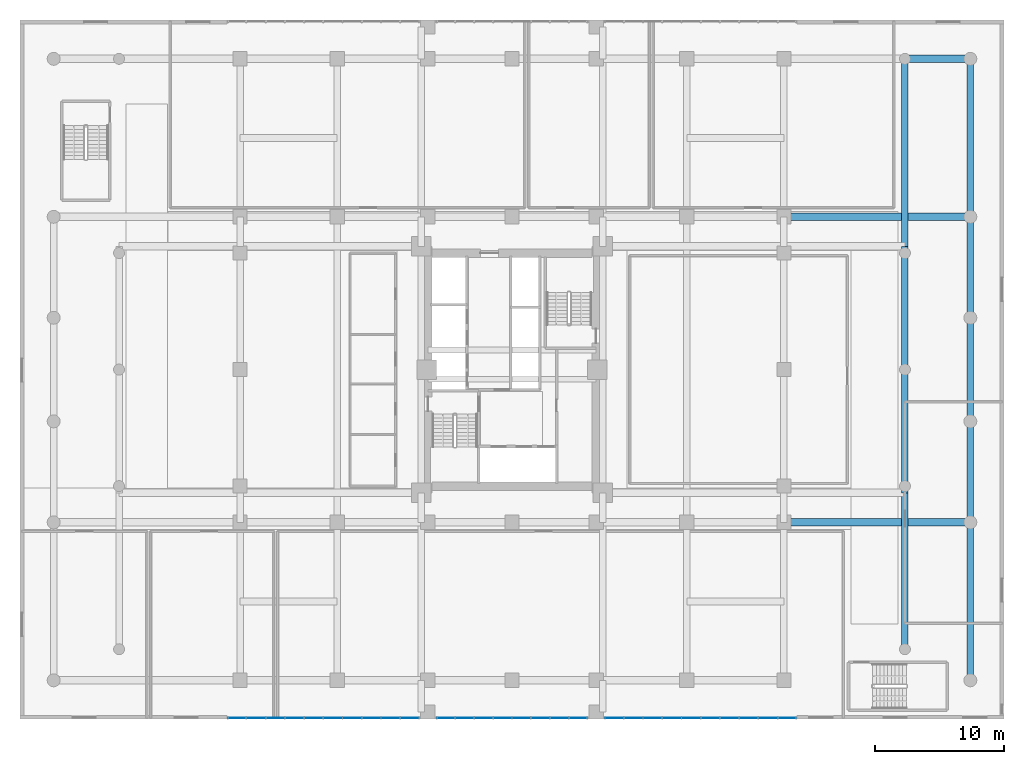
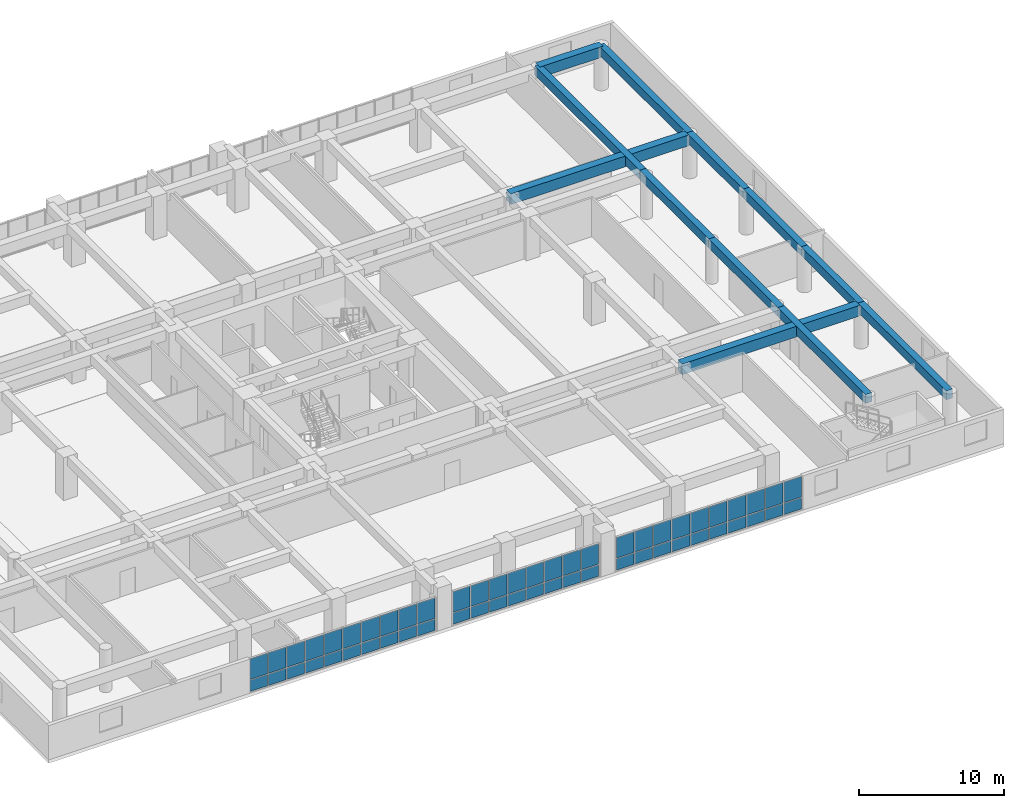
# One storey, part 16 of 30: 56 plates, 12 beams, 3 elements without a shape of their own.
"""IFC4 building model written with IfcOpenShell, lengths in metres."""

from ifc_helpers import new_model, si_unit, direction, frame, origin, origin_2d, place, context, subcontext, project, spatial, rectangle, extrude, source, transform, mapped, material, layer, layer_set, material_profile, profile_set, type_object, element, aggregate, save


model = new_model("IFC4")

# Units and contexts
model_context = context("Model", 3, precision=1e-05, world=origin(), true_north=direction((0.0, 1.0)))
body_context = subcontext(model_context, "Body", "Model", "MODEL_VIEW")
ifc_project = project(units=[si_unit("LENGTHUNIT", "METRE"), si_unit("AREAUNIT", "SQUARE_METRE"), si_unit("VOLUMEUNIT", "CUBIC_METRE"), si_unit("PLANEANGLEUNIT", "RADIAN"), si_unit("MASSUNIT", "GRAM", prefix="KILO")], contexts=[model_context])

# Site, building, storey
site_placement = place(None, origin())
site = spatial("IfcSite", under=ifc_project, at=site_placement, CompositionType="ELEMENT")
building_placement = place(site_placement, origin())
building = spatial("IfcBuilding", under=site, at=building_placement, Name="Saelheon Loggia Tower", CompositionType="ELEMENT")
storey_placement = place(building_placement, frame((0.0, 0.0, 11.39990234375)))
storey = spatial("IfcBuildingStorey", under=building, at=storey_placement, Name="L03", CompositionType="ELEMENT", Elevation=11.39990234375)

# Beams
ifc_material_1 = material(Name="Concrete C50/60", Category="concrete")
ifc_material_profile_1 = material_profile(ifc_material_1, rectangle(XDim=0.60009765625, YDim=0.89990234375, at=origin_2d()), Name="RC-600x900")
ifc_profile_set_1 = profile_set([ifc_material_profile_1], Name="Concrete C50/60")
beam_type_1 = type_object("IfcBeamType", Name="Beam_MainGirder_RC600x900", PredefinedType="BEAM", material=ifc_profile_set_1)
shared_shape_1 = source(origin(), body_context, "Body", "SweptSolid", [
    extrude(rectangle(XDim=0.60009765625, YDim=0.89990234375, at=origin_2d()), origin(), (0.0, 0.0, 1.0), 14.39990234375),
])
for number, where, z_axis, x_axis, name in (
    (1, (59.0, 15.199951171875, 3.150146484375), (1.0, 0.0, 0.0), (0.0, 1.0, 0.0), "BM-L03-EW-15-8"),
    (2, (59.0, 38.800048828125, 3.150146484375), (1.0, 0.0, 0.0), (0.0, 1.0, 0.0), "BM-L03-EW-38-8"),
):
    element("IfcBeam", number, at=place(storey_placement, frame(where, z_axis=z_axis, x_axis=x_axis)), inside=storey, type_object=beam_type_1, Name=name, PredefinedType="BEAM", context=body_context, shape_type="MappedRepresentation", body=[
        mapped(shared_shape_1, transform((0.0, 0.0, 0.0), scale=1.0)),
    ])
shared_shape_2 = source(origin(), body_context, "Body", "SweptSolid", [
    extrude(rectangle(XDim=0.60009765625, YDim=0.89990234375, at=origin_2d()), origin(), (0.0, 0.0, 1.0), 5.0498046875),
])
beam_1_placement = place(storey_placement, frame((68.35009765625, 51.0, 3.150146484375), z_axis=(1.0, 0.0, 0.0), x_axis=(0.0, 1.0, 0.0)))
element("IfcBeam", 3, at=beam_1_placement, inside=storey, type_object=beam_type_1, Name="BM-L03-EW-51-10", PredefinedType="BEAM", context=body_context, shape_type="MappedRepresentation", body=[
    mapped(shared_shape_2, transform((0.0, 0.0, 0.0), scale=1.0)),
])
ifc_material_2 = material(Name="Concrete C45/55", Category="concrete")
ifc_material_profile_2 = material_profile(ifc_material_2, rectangle(XDim=0.5, YDim=0.75, at=origin_2d()), Name="RC-500x750")
ifc_profile_set_2 = profile_set([ifc_material_profile_2], Name="Concrete C45/55")
beam_type_2 = type_object("IfcBeamType", Name="Beam_PerimGirder_RC500x750", PredefinedType="BEAM", material=ifc_profile_set_2)
shared_shape_3 = source(origin(), body_context, "Body", "SweptSolid", [
    extrude(rectangle(XDim=0.5, YDim=0.75, at=origin_2d()), origin(), (0.0, 0.0, 1.0), 12.199951171875),
])
for number, where, z_axis, x_axis, name in (
    (4, (73.39990234375, 3.0, 3.22509765625), (0.0, 1.0, 0.0), (-1.0, 0.0, 0.0), "BM-L03-NS-73-1"),
    (5, (73.39990234375, 38.800048828125, 3.22509765625), (0.0, 1.0, 0.0), (-1.0, 0.0, 0.0), "BM-L03-NS-73-5"),
):
    element("IfcBeam", number, at=place(storey_placement, frame(where, z_axis=z_axis, x_axis=x_axis)), inside=storey, type_object=beam_type_2, Name=name, PredefinedType="BEAM", context=body_context, shape_type="MappedRepresentation", body=[
        mapped(shared_shape_3, transform((0.0, 0.0, 0.0), scale=1.0)),
    ])
shared_shape_4 = source(origin(), body_context, "Body", "SweptSolid", [
    extrude(rectangle(XDim=0.5, YDim=0.75, at=origin_2d()), origin(), (0.0, 0.0, 1.0), 7.800048828125),
])
for number, where, z_axis, x_axis, name in (
    (6, (73.39990234375, 15.199951171875, 3.22509765625), (0.0, 1.0, 0.0), (-1.0, 0.0, 0.0), "BM-L03-NS-73-2"),
    (7, (73.39990234375, 31.0, 3.22509765625), (0.0, 1.0, 0.0), (-1.0, 0.0, 0.0), "BM-L03-NS-73-4"),
):
    element("IfcBeam", number, at=place(storey_placement, frame(where, z_axis=z_axis, x_axis=x_axis)), inside=storey, type_object=beam_type_2, Name=name, PredefinedType="BEAM", context=body_context, shape_type="MappedRepresentation", body=[
        mapped(shared_shape_4, transform((0.0, 0.0, 0.0), scale=1.0)),
    ])
shared_shape_5 = source(origin(), body_context, "Body", "SweptSolid", [
    extrude(rectangle(XDim=0.5, YDim=0.75, at=origin_2d()), origin(), (0.0, 0.0, 1.0), 8.0),
])
beam_2_placement = place(storey_placement, frame((73.39990234375, 23.0, 3.22509765625), z_axis=(0.0, 1.0, 0.0), x_axis=(-1.0, 0.0, 0.0)))
element("IfcBeam", 8, at=beam_2_placement, inside=storey, type_object=beam_type_2, Name="BM-L03-NS-73-3", PredefinedType="BEAM", context=body_context, shape_type="MappedRepresentation", body=[
    mapped(shared_shape_5, transform((0.0, 0.0, 0.0), scale=1.0)),
])
ifc_material_profile_3 = material_profile(ifc_material_2, rectangle(XDim=0.5, YDim=0.75, at=origin_2d()), Name="RC-500x750")
ifc_profile_set_3 = profile_set([ifc_material_profile_3], Name="Concrete C45/55")
beam_type_3 = type_object("IfcBeamType", Name="Beam_FloorGirder_RC500x750", PredefinedType="BEAM", material=ifc_profile_set_3)
shared_shape_6 = source(origin(), body_context, "Body", "SweptSolid", [
    extrude(rectangle(XDim=0.5, YDim=0.75, at=origin_2d()), origin(), (0.0, 0.0, 1.0), 12.080078125),
])
beam_3_placement = place(storey_placement, frame((68.35009765625, 5.39990234375, 3.22509765625), z_axis=(0.0, 1.0, 0.0), x_axis=(-1.0, 0.0, 0.0)))
element("IfcBeam", 9, at=beam_3_placement, inside=storey, type_object=beam_type_3, Name="BM-L03-NS-68-1", PredefinedType="BEAM", context=body_context, shape_type="MappedRepresentation", body=[
    mapped(shared_shape_6, transform((0.0, 0.0, 0.0), scale=1.0)),
])
shared_shape_7 = source(origin(), body_context, "Body", "SweptSolid", [
    extrude(rectangle(XDim=0.5, YDim=0.75, at=origin_2d()), origin(), (0.0, 0.0, 1.0), 9.52001953125),
])
for number, where, z_axis, x_axis, name in (
    (10, (68.35009765625, 17.47998046875, 3.22509765625), (0.0, 1.0, 0.0), (-1.0, 0.0, 0.0), "BM-L03-NS-68-2"),
    (11, (68.35009765625, 27.0, 3.22509765625), (0.0, 1.0, 0.0), (-1.0, 0.0, 0.0), "BM-L03-NS-68-3"),
):
    element("IfcBeam", number, at=place(storey_placement, frame(where, z_axis=z_axis, x_axis=x_axis)), inside=storey, type_object=beam_type_3, Name=name, PredefinedType="BEAM", context=body_context, shape_type="MappedRepresentation", body=[
        mapped(shared_shape_7, transform((0.0, 0.0, 0.0), scale=1.0)),
    ])
shared_shape_8 = source(origin(), body_context, "Body", "SweptSolid", [
    extrude(rectangle(XDim=0.5, YDim=0.75, at=origin_2d()), origin(), (0.0, 0.0, 1.0), 14.47998046875),
])
beam_4_placement = place(storey_placement, frame((68.35009765625, 36.52001953125, 3.22509765625), z_axis=(0.0, 1.0, 0.0), x_axis=(-1.0, 0.0, 0.0)))
element("IfcBeam", 12, at=beam_4_placement, inside=storey, type_object=beam_type_3, Name="BM-L03-NS-68-4", PredefinedType="BEAM", context=body_context, shape_type="MappedRepresentation", body=[
    mapped(shared_shape_8, transform((0.0, 0.0, 0.0), scale=1.0)),
])

# Curtain wall, plates
ifc_material_3 = material(Name="Aluminium 6063-T6 and Low-E IGU", Category="aluminium")
ifc_layer_1 = layer(ifc_material_3, 0.179931640625)
ifc_layer_set_1 = layer_set([ifc_layer_1], Name="Aluminium 6063-T6 and Low-E IGU")
curtain_wall_type = type_object("IfcCurtainWallType", Name="CW_PodiumClinic", PredefinedType="NOTDEFINED", material=ifc_layer_set_1)
curtain_wall_1_placement = place(storey_placement, origin())
curtain_wall_1 = element("IfcCurtainWall", 13, at=curtain_wall_1_placement, inside=storey, type_object=curtain_wall_type, Name="L03 South Clinic Curtain Wall 1", PredefinedType="NOTDEFINED")
ifc_material_4 = material(Name="Triple Low-E Laminated Glazing", Category="glass")
ifc_layer_2 = layer(ifc_material_4, 0.031982421875)
ifc_layer_set_2 = layer_set([ifc_layer_2], Name="Triple Low-E Laminated Glazing")
plate_type = type_object("IfcPlateType", Name="CW_PodiumClinic_Panel", PredefinedType="CURTAIN_PANEL", material=ifc_layer_set_2)
shared_shape_9 = source(origin(), body_context, "Body", "SweptSolid", [
    extrude(rectangle(XDim=1.3798828125, YDim=0.031982421875, at=origin_2d()), origin(), (0.0, 0.0, 1.0), 0.945068359375),
])
plate_1_placement = place(storey_placement, frame((16.760009765625, 0.10009765625, 0.06982421875), z_axis=(0.0, 0.0, 1.0), x_axis=(1.0, 0.0, 0.0)))
plate_1 = element("IfcPlate", 14, at=plate_1_placement, type_object=plate_type, Name="CW1 panel 1.1", PredefinedType="CURTAIN_PANEL", context=body_context, shape_type="MappedRepresentation", body=[
    mapped(shared_shape_9, transform((0.0, 0.0, 0.0), scale=1.0)),
])
plate_2_placement = place(storey_placement, frame((30.090087890625, 0.10009765625, 0.06982421875), z_axis=(0.0, 0.0, 1.0), x_axis=(1.0, 0.0, 0.0)))
plate_2 = element("IfcPlate", 15, at=plate_2_placement, type_object=plate_type, Name="CW1 panel 10.1", PredefinedType="CURTAIN_PANEL", context=body_context, shape_type="MappedRepresentation", body=[
    mapped(shared_shape_9, transform((0.0, 0.0, 0.0), scale=1.0)),
])

curtain_wall_2_placement = place(storey_placement, origin())
curtain_wall_2 = element("IfcCurtainWall", 16, at=curtain_wall_2_placement, inside=storey, type_object=curtain_wall_type, Name="L03 South Clinic Curtain Wall 3", PredefinedType="NOTDEFINED")
plate_3_placement = place(storey_placement, frame((45.909912109375, 0.10009765625, 0.06982421875), z_axis=(0.0, 0.0, 1.0), x_axis=(1.0, 0.0, 0.0)))
plate_3 = element("IfcPlate", 17, at=plate_3_placement, type_object=plate_type, Name="CW1 panel 1.1", PredefinedType="CURTAIN_PANEL", context=body_context, shape_type="MappedRepresentation", body=[
    mapped(shared_shape_9, transform((0.0, 0.0, 0.0), scale=1.0)),
])
plate_4_placement = place(storey_placement, frame((59.239990234375, 0.10009765625, 0.06982421875), z_axis=(0.0, 0.0, 1.0), x_axis=(1.0, 0.0, 0.0)))
plate_4 = element("IfcPlate", 18, at=plate_4_placement, type_object=plate_type, Name="CW1 panel 10.1", PredefinedType="CURTAIN_PANEL", context=body_context, shape_type="MappedRepresentation", body=[
    mapped(shared_shape_9, transform((0.0, 0.0, 0.0), scale=1.0)),
])

# Plate
shared_shape_10 = source(origin(), body_context, "Body", "SweptSolid", [
    extrude(rectangle(XDim=1.3798828125, YDim=0.031982421875, at=origin_2d()), origin(), (0.0, 0.0, 1.0), 1.72509765625),
])
plate_5_placement = place(storey_placement, frame((16.760009765625, 0.10009765625, 1.0849609375), z_axis=(0.0, 0.0, 1.0), x_axis=(1.0, 0.0, 0.0)))
plate_5 = element("IfcPlate", 19, at=plate_5_placement, type_object=plate_type, Name="CW1 panel 1.2", PredefinedType="CURTAIN_PANEL", context=body_context, shape_type="MappedRepresentation", body=[
    mapped(shared_shape_10, transform((0.0, 0.0, 0.0), scale=1.0)),
])

plate_6_placement = place(storey_placement, frame((30.090087890625, 0.10009765625, 1.0849609375), z_axis=(0.0, 0.0, 1.0), x_axis=(1.0, 0.0, 0.0)))
plate_6 = element("IfcPlate", 20, at=plate_6_placement, type_object=plate_type, Name="CW1 panel 10.2", PredefinedType="CURTAIN_PANEL", context=body_context, shape_type="MappedRepresentation", body=[
    mapped(shared_shape_10, transform((0.0, 0.0, 0.0), scale=1.0)),
])

plate_7_placement = place(storey_placement, frame((45.909912109375, 0.10009765625, 1.0849609375), z_axis=(0.0, 0.0, 1.0), x_axis=(1.0, 0.0, 0.0)))
plate_7 = element("IfcPlate", 21, at=plate_7_placement, type_object=plate_type, Name="CW1 panel 1.2", PredefinedType="CURTAIN_PANEL", context=body_context, shape_type="MappedRepresentation", body=[
    mapped(shared_shape_10, transform((0.0, 0.0, 0.0), scale=1.0)),
])

plate_8_placement = place(storey_placement, frame((59.239990234375, 0.10009765625, 1.0849609375), z_axis=(0.0, 0.0, 1.0), x_axis=(1.0, 0.0, 0.0)))
plate_8 = element("IfcPlate", 22, at=plate_8_placement, type_object=plate_type, Name="CW1 panel 10.2", PredefinedType="CURTAIN_PANEL", context=body_context, shape_type="MappedRepresentation", body=[
    mapped(shared_shape_10, transform((0.0, 0.0, 0.0), scale=1.0)),
])

shared_shape_11 = source(origin(), body_context, "Body", "SweptSolid", [
    extrude(rectangle(XDim=1.4150390625, YDim=0.031982421875, at=origin_2d()), origin(), (0.0, 0.0, 1.0), 0.945068359375),
])
plate_9_placement = place(storey_placement, frame((18.2275390625, 0.10009765625, 0.06982421875), z_axis=(0.0, 0.0, 1.0), x_axis=(1.0, 0.0, 0.0)))
plate_9 = element("IfcPlate", 23, at=plate_9_placement, type_object=plate_type, Name="CW1 panel 2.1", PredefinedType="CURTAIN_PANEL", context=body_context, shape_type="MappedRepresentation", body=[
    mapped(shared_shape_11, transform((0.0, 0.0, 0.0), scale=1.0)),
])

plate_10_placement = place(storey_placement, frame((19.71240234375, 0.10009765625, 0.06982421875), z_axis=(0.0, 0.0, 1.0), x_axis=(1.0, 0.0, 0.0)))
plate_10 = element("IfcPlate", 24, at=plate_10_placement, type_object=plate_type, Name="CW1 panel 3.1", PredefinedType="CURTAIN_PANEL", context=body_context, shape_type="MappedRepresentation", body=[
    mapped(shared_shape_11, transform((0.0, 0.0, 0.0), scale=1.0)),
])

plate_11_placement = place(storey_placement, frame((21.197509765625, 0.10009765625, 0.06982421875), z_axis=(0.0, 0.0, 1.0), x_axis=(1.0, 0.0, 0.0)))
plate_11 = element("IfcPlate", 25, at=plate_11_placement, type_object=plate_type, Name="CW1 panel 4.1", PredefinedType="CURTAIN_PANEL", context=body_context, shape_type="MappedRepresentation", body=[
    mapped(shared_shape_11, transform((0.0, 0.0, 0.0), scale=1.0)),
])

plate_12_placement = place(storey_placement, frame((22.6826171875, 0.10009765625, 0.06982421875), z_axis=(0.0, 0.0, 1.0), x_axis=(1.0, 0.0, 0.0)))
plate_12 = element("IfcPlate", 26, at=plate_12_placement, type_object=plate_type, Name="CW1 panel 5.1", PredefinedType="CURTAIN_PANEL", context=body_context, shape_type="MappedRepresentation", body=[
    mapped(shared_shape_11, transform((0.0, 0.0, 0.0), scale=1.0)),
])

plate_13_placement = place(storey_placement, frame((24.16748046875, 0.10009765625, 0.06982421875), z_axis=(0.0, 0.0, 1.0), x_axis=(1.0, 0.0, 0.0)))
plate_13 = element("IfcPlate", 27, at=plate_13_placement, type_object=plate_type, Name="CW1 panel 6.1", PredefinedType="CURTAIN_PANEL", context=body_context, shape_type="MappedRepresentation", body=[
    mapped(shared_shape_11, transform((0.0, 0.0, 0.0), scale=1.0)),
])

plate_14_placement = place(storey_placement, frame((25.652587890625, 0.10009765625, 0.06982421875), z_axis=(0.0, 0.0, 1.0), x_axis=(1.0, 0.0, 0.0)))
plate_14 = element("IfcPlate", 28, at=plate_14_placement, type_object=plate_type, Name="CW1 panel 7.1", PredefinedType="CURTAIN_PANEL", context=body_context, shape_type="MappedRepresentation", body=[
    mapped(shared_shape_11, transform((0.0, 0.0, 0.0), scale=1.0)),
])

plate_15_placement = place(storey_placement, frame((27.137451171875, 0.10009765625, 0.06982421875), z_axis=(0.0, 0.0, 1.0), x_axis=(1.0, 0.0, 0.0)))
plate_15 = element("IfcPlate", 29, at=plate_15_placement, type_object=plate_type, Name="CW1 panel 8.1", PredefinedType="CURTAIN_PANEL", context=body_context, shape_type="MappedRepresentation", body=[
    mapped(shared_shape_11, transform((0.0, 0.0, 0.0), scale=1.0)),
])

plate_16_placement = place(storey_placement, frame((28.62255859375, 0.10009765625, 0.06982421875), z_axis=(0.0, 0.0, 1.0), x_axis=(1.0, 0.0, 0.0)))
plate_16 = element("IfcPlate", 30, at=plate_16_placement, type_object=plate_type, Name="CW1 panel 9.1", PredefinedType="CURTAIN_PANEL", context=body_context, shape_type="MappedRepresentation", body=[
    mapped(shared_shape_11, transform((0.0, 0.0, 0.0), scale=1.0)),
])

plate_17_placement = place(storey_placement, frame((47.37744140625, 0.10009765625, 0.06982421875), z_axis=(0.0, 0.0, 1.0), x_axis=(1.0, 0.0, 0.0)))
plate_17 = element("IfcPlate", 31, at=plate_17_placement, type_object=plate_type, Name="CW1 panel 2.1", PredefinedType="CURTAIN_PANEL", context=body_context, shape_type="MappedRepresentation", body=[
    mapped(shared_shape_11, transform((0.0, 0.0, 0.0), scale=1.0)),
])

plate_18_placement = place(storey_placement, frame((48.862548828125, 0.10009765625, 0.06982421875), z_axis=(0.0, 0.0, 1.0), x_axis=(1.0, 0.0, 0.0)))
plate_18 = element("IfcPlate", 32, at=plate_18_placement, type_object=plate_type, Name="CW1 panel 3.1", PredefinedType="CURTAIN_PANEL", context=body_context, shape_type="MappedRepresentation", body=[
    mapped(shared_shape_11, transform((0.0, 0.0, 0.0), scale=1.0)),
])

plate_19_placement = place(storey_placement, frame((50.347412109375, 0.10009765625, 0.06982421875), z_axis=(0.0, 0.0, 1.0), x_axis=(1.0, 0.0, 0.0)))
plate_19 = element("IfcPlate", 33, at=plate_19_placement, type_object=plate_type, Name="CW1 panel 4.1", PredefinedType="CURTAIN_PANEL", context=body_context, shape_type="MappedRepresentation", body=[
    mapped(shared_shape_11, transform((0.0, 0.0, 0.0), scale=1.0)),
])

plate_20_placement = place(storey_placement, frame((51.83251953125, 0.10009765625, 0.06982421875), z_axis=(0.0, 0.0, 1.0), x_axis=(1.0, 0.0, 0.0)))
plate_20 = element("IfcPlate", 34, at=plate_20_placement, type_object=plate_type, Name="CW1 panel 5.1", PredefinedType="CURTAIN_PANEL", context=body_context, shape_type="MappedRepresentation", body=[
    mapped(shared_shape_11, transform((0.0, 0.0, 0.0), scale=1.0)),
])

plate_21_placement = place(storey_placement, frame((53.3173828125, 0.10009765625, 0.06982421875), z_axis=(0.0, 0.0, 1.0), x_axis=(1.0, 0.0, 0.0)))
plate_21 = element("IfcPlate", 35, at=plate_21_placement, type_object=plate_type, Name="CW1 panel 6.1", PredefinedType="CURTAIN_PANEL", context=body_context, shape_type="MappedRepresentation", body=[
    mapped(shared_shape_11, transform((0.0, 0.0, 0.0), scale=1.0)),
])

plate_22_placement = place(storey_placement, frame((54.802490234375, 0.10009765625, 0.06982421875), z_axis=(0.0, 0.0, 1.0), x_axis=(1.0, 0.0, 0.0)))
plate_22 = element("IfcPlate", 36, at=plate_22_placement, type_object=plate_type, Name="CW1 panel 7.1", PredefinedType="CURTAIN_PANEL", context=body_context, shape_type="MappedRepresentation", body=[
    mapped(shared_shape_11, transform((0.0, 0.0, 0.0), scale=1.0)),
])

plate_23_placement = place(storey_placement, frame((56.28759765625, 0.10009765625, 0.06982421875), z_axis=(0.0, 0.0, 1.0), x_axis=(1.0, 0.0, 0.0)))
plate_23 = element("IfcPlate", 37, at=plate_23_placement, type_object=plate_type, Name="CW1 panel 8.1", PredefinedType="CURTAIN_PANEL", context=body_context, shape_type="MappedRepresentation", body=[
    mapped(shared_shape_11, transform((0.0, 0.0, 0.0), scale=1.0)),
])

plate_24_placement = place(storey_placement, frame((57.7724609375, 0.10009765625, 0.06982421875), z_axis=(0.0, 0.0, 1.0), x_axis=(1.0, 0.0, 0.0)))
plate_24 = element("IfcPlate", 38, at=plate_24_placement, type_object=plate_type, Name="CW1 panel 9.1", PredefinedType="CURTAIN_PANEL", context=body_context, shape_type="MappedRepresentation", body=[
    mapped(shared_shape_11, transform((0.0, 0.0, 0.0), scale=1.0)),
])

shared_shape_12 = source(origin(), body_context, "Body", "SweptSolid", [
    extrude(rectangle(XDim=1.4150390625, YDim=0.031982421875, at=origin_2d()), origin(), (0.0, 0.0, 1.0), 1.72509765625),
])
plate_25_placement = place(storey_placement, frame((18.2275390625, 0.10009765625, 1.0849609375), z_axis=(0.0, 0.0, 1.0), x_axis=(1.0, 0.0, 0.0)))
plate_25 = element("IfcPlate", 39, at=plate_25_placement, type_object=plate_type, Name="CW1 panel 2.2", PredefinedType="CURTAIN_PANEL", context=body_context, shape_type="MappedRepresentation", body=[
    mapped(shared_shape_12, transform((0.0, 0.0, 0.0), scale=1.0)),
])

plate_26_placement = place(storey_placement, frame((19.71240234375, 0.10009765625, 1.0849609375), z_axis=(0.0, 0.0, 1.0), x_axis=(1.0, 0.0, 0.0)))
plate_26 = element("IfcPlate", 40, at=plate_26_placement, type_object=plate_type, Name="CW1 panel 3.2", PredefinedType="CURTAIN_PANEL", context=body_context, shape_type="MappedRepresentation", body=[
    mapped(shared_shape_12, transform((0.0, 0.0, 0.0), scale=1.0)),
])

plate_27_placement = place(storey_placement, frame((21.197509765625, 0.10009765625, 1.0849609375), z_axis=(0.0, 0.0, 1.0), x_axis=(1.0, 0.0, 0.0)))
plate_27 = element("IfcPlate", 41, at=plate_27_placement, type_object=plate_type, Name="CW1 panel 4.2", PredefinedType="CURTAIN_PANEL", context=body_context, shape_type="MappedRepresentation", body=[
    mapped(shared_shape_12, transform((0.0, 0.0, 0.0), scale=1.0)),
])

plate_28_placement = place(storey_placement, frame((22.6826171875, 0.10009765625, 1.0849609375), z_axis=(0.0, 0.0, 1.0), x_axis=(1.0, 0.0, 0.0)))
plate_28 = element("IfcPlate", 42, at=plate_28_placement, type_object=plate_type, Name="CW1 panel 5.2", PredefinedType="CURTAIN_PANEL", context=body_context, shape_type="MappedRepresentation", body=[
    mapped(shared_shape_12, transform((0.0, 0.0, 0.0), scale=1.0)),
])

plate_29_placement = place(storey_placement, frame((24.16748046875, 0.10009765625, 1.0849609375), z_axis=(0.0, 0.0, 1.0), x_axis=(1.0, 0.0, 0.0)))
plate_29 = element("IfcPlate", 43, at=plate_29_placement, type_object=plate_type, Name="CW1 panel 6.2", PredefinedType="CURTAIN_PANEL", context=body_context, shape_type="MappedRepresentation", body=[
    mapped(shared_shape_12, transform((0.0, 0.0, 0.0), scale=1.0)),
])

plate_30_placement = place(storey_placement, frame((25.652587890625, 0.10009765625, 1.0849609375), z_axis=(0.0, 0.0, 1.0), x_axis=(1.0, 0.0, 0.0)))
plate_30 = element("IfcPlate", 44, at=plate_30_placement, type_object=plate_type, Name="CW1 panel 7.2", PredefinedType="CURTAIN_PANEL", context=body_context, shape_type="MappedRepresentation", body=[
    mapped(shared_shape_12, transform((0.0, 0.0, 0.0), scale=1.0)),
])

plate_31_placement = place(storey_placement, frame((27.137451171875, 0.10009765625, 1.0849609375), z_axis=(0.0, 0.0, 1.0), x_axis=(1.0, 0.0, 0.0)))
plate_31 = element("IfcPlate", 45, at=plate_31_placement, type_object=plate_type, Name="CW1 panel 8.2", PredefinedType="CURTAIN_PANEL", context=body_context, shape_type="MappedRepresentation", body=[
    mapped(shared_shape_12, transform((0.0, 0.0, 0.0), scale=1.0)),
])

plate_32_placement = place(storey_placement, frame((28.62255859375, 0.10009765625, 1.0849609375), z_axis=(0.0, 0.0, 1.0), x_axis=(1.0, 0.0, 0.0)))
plate_32 = element("IfcPlate", 46, at=plate_32_placement, type_object=plate_type, Name="CW1 panel 9.2", PredefinedType="CURTAIN_PANEL", context=body_context, shape_type="MappedRepresentation", body=[
    mapped(shared_shape_12, transform((0.0, 0.0, 0.0), scale=1.0)),
])

aggregate(curtain_wall_1, [plate_1, plate_5, plate_9, plate_25, plate_10, plate_26, plate_11, plate_27, plate_12, plate_28, plate_13, plate_29, plate_14, plate_30, plate_15, plate_31, plate_16, plate_32, plate_2, plate_6])

plate_33_placement = place(storey_placement, frame((47.37744140625, 0.10009765625, 1.0849609375), z_axis=(0.0, 0.0, 1.0), x_axis=(1.0, 0.0, 0.0)))
plate_33 = element("IfcPlate", 47, at=plate_33_placement, type_object=plate_type, Name="CW1 panel 2.2", PredefinedType="CURTAIN_PANEL", context=body_context, shape_type="MappedRepresentation", body=[
    mapped(shared_shape_12, transform((0.0, 0.0, 0.0), scale=1.0)),
])

plate_34_placement = place(storey_placement, frame((48.862548828125, 0.10009765625, 1.0849609375), z_axis=(0.0, 0.0, 1.0), x_axis=(1.0, 0.0, 0.0)))
plate_34 = element("IfcPlate", 48, at=plate_34_placement, type_object=plate_type, Name="CW1 panel 3.2", PredefinedType="CURTAIN_PANEL", context=body_context, shape_type="MappedRepresentation", body=[
    mapped(shared_shape_12, transform((0.0, 0.0, 0.0), scale=1.0)),
])

plate_35_placement = place(storey_placement, frame((50.347412109375, 0.10009765625, 1.0849609375), z_axis=(0.0, 0.0, 1.0), x_axis=(1.0, 0.0, 0.0)))
plate_35 = element("IfcPlate", 49, at=plate_35_placement, type_object=plate_type, Name="CW1 panel 4.2", PredefinedType="CURTAIN_PANEL", context=body_context, shape_type="MappedRepresentation", body=[
    mapped(shared_shape_12, transform((0.0, 0.0, 0.0), scale=1.0)),
])

plate_36_placement = place(storey_placement, frame((51.83251953125, 0.10009765625, 1.0849609375), z_axis=(0.0, 0.0, 1.0), x_axis=(1.0, 0.0, 0.0)))
plate_36 = element("IfcPlate", 50, at=plate_36_placement, type_object=plate_type, Name="CW1 panel 5.2", PredefinedType="CURTAIN_PANEL", context=body_context, shape_type="MappedRepresentation", body=[
    mapped(shared_shape_12, transform((0.0, 0.0, 0.0), scale=1.0)),
])

plate_37_placement = place(storey_placement, frame((53.3173828125, 0.10009765625, 1.0849609375), z_axis=(0.0, 0.0, 1.0), x_axis=(1.0, 0.0, 0.0)))
plate_37 = element("IfcPlate", 51, at=plate_37_placement, type_object=plate_type, Name="CW1 panel 6.2", PredefinedType="CURTAIN_PANEL", context=body_context, shape_type="MappedRepresentation", body=[
    mapped(shared_shape_12, transform((0.0, 0.0, 0.0), scale=1.0)),
])

plate_38_placement = place(storey_placement, frame((54.802490234375, 0.10009765625, 1.0849609375), z_axis=(0.0, 0.0, 1.0), x_axis=(1.0, 0.0, 0.0)))
plate_38 = element("IfcPlate", 52, at=plate_38_placement, type_object=plate_type, Name="CW1 panel 7.2", PredefinedType="CURTAIN_PANEL", context=body_context, shape_type="MappedRepresentation", body=[
    mapped(shared_shape_12, transform((0.0, 0.0, 0.0), scale=1.0)),
])

plate_39_placement = place(storey_placement, frame((56.28759765625, 0.10009765625, 1.0849609375), z_axis=(0.0, 0.0, 1.0), x_axis=(1.0, 0.0, 0.0)))
plate_39 = element("IfcPlate", 53, at=plate_39_placement, type_object=plate_type, Name="CW1 panel 8.2", PredefinedType="CURTAIN_PANEL", context=body_context, shape_type="MappedRepresentation", body=[
    mapped(shared_shape_12, transform((0.0, 0.0, 0.0), scale=1.0)),
])

plate_40_placement = place(storey_placement, frame((57.7724609375, 0.10009765625, 1.0849609375), z_axis=(0.0, 0.0, 1.0), x_axis=(1.0, 0.0, 0.0)))
plate_40 = element("IfcPlate", 54, at=plate_40_placement, type_object=plate_type, Name="CW1 panel 9.2", PredefinedType="CURTAIN_PANEL", context=body_context, shape_type="MappedRepresentation", body=[
    mapped(shared_shape_12, transform((0.0, 0.0, 0.0), scale=1.0)),
])

aggregate(curtain_wall_2, [plate_3, plate_7, plate_17, plate_33, plate_18, plate_34, plate_19, plate_35, plate_20, plate_36, plate_21, plate_37, plate_22, plate_38, plate_23, plate_39, plate_24, plate_40, plate_4, plate_8])

# Curtain wall, plates
curtain_wall_3_placement = place(storey_placement, origin())
curtain_wall_3 = element("IfcCurtainWall", 55, at=curtain_wall_3_placement, inside=storey, type_object=curtain_wall_type, Name="L03 South Clinic Curtain Wall 2", PredefinedType="NOTDEFINED")
shared_shape_13 = source(origin(), body_context, "Body", "SweptSolid", [
    extrude(rectangle(XDim=1.357421875, YDim=0.031982421875, at=origin_2d()), origin(), (0.0, 0.0, 1.0), 0.945068359375),
])
plate_41_placement = place(storey_placement, frame((32.898681640625, 0.10009765625, 0.06982421875), z_axis=(0.0, 0.0, 1.0), x_axis=(1.0, 0.0, 0.0)))
plate_41 = element("IfcPlate", 56, at=plate_41_placement, type_object=plate_type, Name="CW1 panel 1.1", PredefinedType="CURTAIN_PANEL", context=body_context, shape_type="MappedRepresentation", body=[
    mapped(shared_shape_13, transform((0.0, 0.0, 0.0), scale=1.0)),
])
plate_42_placement = place(storey_placement, frame((43.101318359375, 0.10009765625, 0.06982421875), z_axis=(0.0, 0.0, 1.0), x_axis=(1.0, 0.0, 0.0)))
plate_42 = element("IfcPlate", 57, at=plate_42_placement, type_object=plate_type, Name="CW1 panel 8.1", PredefinedType="CURTAIN_PANEL", context=body_context, shape_type="MappedRepresentation", body=[
    mapped(shared_shape_13, transform((0.0, 0.0, 0.0), scale=1.0)),
])
shared_shape_14 = source(origin(), body_context, "Body", "SweptSolid", [
    extrude(rectangle(XDim=1.357421875, YDim=0.031982421875, at=origin_2d()), origin(), (0.0, 0.0, 1.0), 1.72509765625),
])
plate_43_placement = place(storey_placement, frame((32.898681640625, 0.10009765625, 1.0849609375), z_axis=(0.0, 0.0, 1.0), x_axis=(1.0, 0.0, 0.0)))
plate_43 = element("IfcPlate", 58, at=plate_43_placement, type_object=plate_type, Name="CW1 panel 1.2", PredefinedType="CURTAIN_PANEL", context=body_context, shape_type="MappedRepresentation", body=[
    mapped(shared_shape_14, transform((0.0, 0.0, 0.0), scale=1.0)),
])
plate_44_placement = place(storey_placement, frame((43.101318359375, 0.10009765625, 1.0849609375), z_axis=(0.0, 0.0, 1.0), x_axis=(1.0, 0.0, 0.0)))
plate_44 = element("IfcPlate", 59, at=plate_44_placement, type_object=plate_type, Name="CW1 panel 8.2", PredefinedType="CURTAIN_PANEL", context=body_context, shape_type="MappedRepresentation", body=[
    mapped(shared_shape_14, transform((0.0, 0.0, 0.0), scale=1.0)),
])
shared_shape_15 = source(origin(), body_context, "Body", "SweptSolid", [
    extrude(rectangle(XDim=1.392578125, YDim=0.031982421875, at=origin_2d()), origin(), (0.0, 0.0, 1.0), 0.945068359375),
])
plate_45_placement = place(storey_placement, frame((34.34375, 0.10009765625, 0.06982421875), z_axis=(0.0, 0.0, 1.0), x_axis=(1.0, 0.0, 0.0)))
plate_45 = element("IfcPlate", 60, at=plate_45_placement, type_object=plate_type, Name="CW1 panel 2.1", PredefinedType="CURTAIN_PANEL", context=body_context, shape_type="MappedRepresentation", body=[
    mapped(shared_shape_15, transform((0.0, 0.0, 0.0), scale=1.0)),
])
plate_46_placement = place(storey_placement, frame((35.80615234375, 0.10009765625, 0.06982421875), z_axis=(0.0, 0.0, 1.0), x_axis=(1.0, 0.0, 0.0)))
plate_46 = element("IfcPlate", 61, at=plate_46_placement, type_object=plate_type, Name="CW1 panel 3.1", PredefinedType="CURTAIN_PANEL", context=body_context, shape_type="MappedRepresentation", body=[
    mapped(shared_shape_15, transform((0.0, 0.0, 0.0), scale=1.0)),
])
plate_47_placement = place(storey_placement, frame((37.268798828125, 0.10009765625, 0.06982421875), z_axis=(0.0, 0.0, 1.0), x_axis=(1.0, 0.0, 0.0)))
plate_47 = element("IfcPlate", 62, at=plate_47_placement, type_object=plate_type, Name="CW1 panel 4.1", PredefinedType="CURTAIN_PANEL", context=body_context, shape_type="MappedRepresentation", body=[
    mapped(shared_shape_15, transform((0.0, 0.0, 0.0), scale=1.0)),
])
plate_48_placement = place(storey_placement, frame((38.731201171875, 0.10009765625, 0.06982421875), z_axis=(0.0, 0.0, 1.0), x_axis=(1.0, 0.0, 0.0)))
plate_48 = element("IfcPlate", 63, at=plate_48_placement, type_object=plate_type, Name="CW1 panel 5.1", PredefinedType="CURTAIN_PANEL", context=body_context, shape_type="MappedRepresentation", body=[
    mapped(shared_shape_15, transform((0.0, 0.0, 0.0), scale=1.0)),
])
plate_49_placement = place(storey_placement, frame((40.19384765625, 0.10009765625, 0.06982421875), z_axis=(0.0, 0.0, 1.0), x_axis=(1.0, 0.0, 0.0)))
plate_49 = element("IfcPlate", 64, at=plate_49_placement, type_object=plate_type, Name="CW1 panel 6.1", PredefinedType="CURTAIN_PANEL", context=body_context, shape_type="MappedRepresentation", body=[
    mapped(shared_shape_15, transform((0.0, 0.0, 0.0), scale=1.0)),
])
plate_50_placement = place(storey_placement, frame((41.65625, 0.10009765625, 0.06982421875), z_axis=(0.0, 0.0, 1.0), x_axis=(1.0, 0.0, 0.0)))
plate_50 = element("IfcPlate", 65, at=plate_50_placement, type_object=plate_type, Name="CW1 panel 7.1", PredefinedType="CURTAIN_PANEL", context=body_context, shape_type="MappedRepresentation", body=[
    mapped(shared_shape_15, transform((0.0, 0.0, 0.0), scale=1.0)),
])
shared_shape_16 = source(origin(), body_context, "Body", "SweptSolid", [
    extrude(rectangle(XDim=1.392578125, YDim=0.031982421875, at=origin_2d()), origin(), (0.0, 0.0, 1.0), 1.72509765625),
])
plate_51_placement = place(storey_placement, frame((34.34375, 0.10009765625, 1.0849609375), z_axis=(0.0, 0.0, 1.0), x_axis=(1.0, 0.0, 0.0)))
plate_51 = element("IfcPlate", 66, at=plate_51_placement, type_object=plate_type, Name="CW1 panel 2.2", PredefinedType="CURTAIN_PANEL", context=body_context, shape_type="MappedRepresentation", body=[
    mapped(shared_shape_16, transform((0.0, 0.0, 0.0), scale=1.0)),
])
plate_52_placement = place(storey_placement, frame((35.80615234375, 0.10009765625, 1.0849609375), z_axis=(0.0, 0.0, 1.0), x_axis=(1.0, 0.0, 0.0)))
plate_52 = element("IfcPlate", 67, at=plate_52_placement, type_object=plate_type, Name="CW1 panel 3.2", PredefinedType="CURTAIN_PANEL", context=body_context, shape_type="MappedRepresentation", body=[
    mapped(shared_shape_16, transform((0.0, 0.0, 0.0), scale=1.0)),
])
plate_53_placement = place(storey_placement, frame((37.268798828125, 0.10009765625, 1.0849609375), z_axis=(0.0, 0.0, 1.0), x_axis=(1.0, 0.0, 0.0)))
plate_53 = element("IfcPlate", 68, at=plate_53_placement, type_object=plate_type, Name="CW1 panel 4.2", PredefinedType="CURTAIN_PANEL", context=body_context, shape_type="MappedRepresentation", body=[
    mapped(shared_shape_16, transform((0.0, 0.0, 0.0), scale=1.0)),
])
plate_54_placement = place(storey_placement, frame((38.731201171875, 0.10009765625, 1.0849609375), z_axis=(0.0, 0.0, 1.0), x_axis=(1.0, 0.0, 0.0)))
plate_54 = element("IfcPlate", 69, at=plate_54_placement, type_object=plate_type, Name="CW1 panel 5.2", PredefinedType="CURTAIN_PANEL", context=body_context, shape_type="MappedRepresentation", body=[
    mapped(shared_shape_16, transform((0.0, 0.0, 0.0), scale=1.0)),
])
plate_55_placement = place(storey_placement, frame((40.19384765625, 0.10009765625, 1.0849609375), z_axis=(0.0, 0.0, 1.0), x_axis=(1.0, 0.0, 0.0)))
plate_55 = element("IfcPlate", 70, at=plate_55_placement, type_object=plate_type, Name="CW1 panel 6.2", PredefinedType="CURTAIN_PANEL", context=body_context, shape_type="MappedRepresentation", body=[
    mapped(shared_shape_16, transform((0.0, 0.0, 0.0), scale=1.0)),
])
plate_56_placement = place(storey_placement, frame((41.65625, 0.10009765625, 1.0849609375), z_axis=(0.0, 0.0, 1.0), x_axis=(1.0, 0.0, 0.0)))
plate_56 = element("IfcPlate", 71, at=plate_56_placement, type_object=plate_type, Name="CW1 panel 7.2", PredefinedType="CURTAIN_PANEL", context=body_context, shape_type="MappedRepresentation", body=[
    mapped(shared_shape_16, transform((0.0, 0.0, 0.0), scale=1.0)),
])
aggregate(curtain_wall_3, [plate_41, plate_43, plate_45, plate_51, plate_46, plate_52, plate_47, plate_53, plate_48, plate_54, plate_49, plate_55, plate_50, plate_56, plate_42, plate_44])

save(model, "model.ifc")
